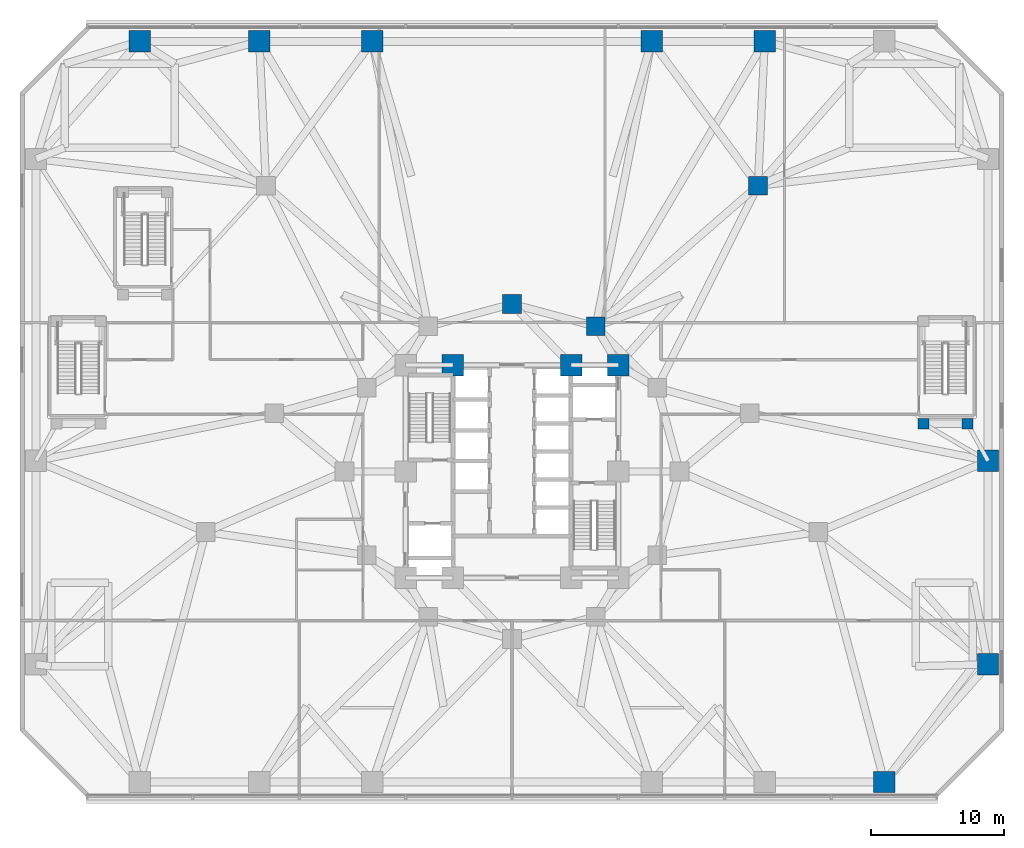
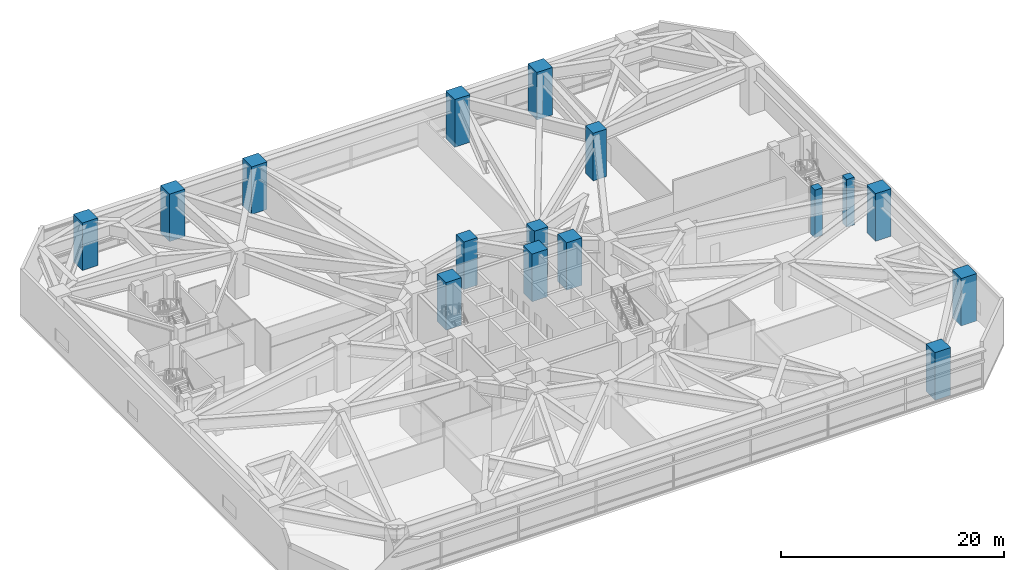
# One storey, part 3 of 27: 16 columns.
"""IFC4 building model written with IfcOpenShell, lengths in metres."""

from ifc_helpers import new_model, si_unit, direction, frame, origin, origin_2d, place, context, subcontext, project, spatial, rectangle, extrude, material, material_profile, profile_set, type_object, element, save


model = new_model("IFC4")

# Units and contexts
model_context = context("Model", 3, precision=1e-05, world=origin(), true_north=direction((0.0, 1.0)))
body_context = subcontext(model_context, "Body", "Model", "MODEL_VIEW")
ifc_project = project(units=[si_unit("LENGTHUNIT", "METRE"), si_unit("AREAUNIT", "SQUARE_METRE"), si_unit("VOLUMEUNIT", "CUBIC_METRE"), si_unit("PLANEANGLEUNIT", "RADIAN"), si_unit("MASSUNIT", "GRAM", prefix="KILO")], contexts=[model_context])

# Site, building, storey
site_placement = place(None, origin())
site = spatial("IfcSite", under=ifc_project, at=site_placement, CompositionType="ELEMENT")
building_placement = place(site_placement, origin())
building = spatial("IfcBuilding", under=site, at=building_placement, Name="Terralouvre Media Tower", CompositionType="ELEMENT")
storey_placement = place(building_placement, frame((0.0, 0.0, 20.800048828125)))
storey = spatial("IfcBuildingStorey", under=building, at=storey_placement, Name="L04", CompositionType="ELEMENT", Elevation=20.800048828125)

# Columns
ifc_material_1 = material(Name="Concrete C60/75", Category="concrete")
ifc_material_profile_1 = material_profile(ifc_material_1, rectangle(XDim=1.39990234375, YDim=1.39990234375, at=origin_2d()), Name="RC 1400x1400")
ifc_profile_set_1 = profile_set([ifc_material_profile_1], Name="Concrete C60/75")
column_type_1 = type_object("IfcColumnType", Name="Structural Column C-RC1400 (RC 1400x1400)", PredefinedType="COLUMN", material=ifc_profile_set_1)
for number, where, z_axis, x_axis, name in (
    (1, (6.300048828125, 10.911865234375, 0.0), (0.0, 0.0, 1.0), (1.0, 0.0, 0.0), "L04 Mega-Frame Column MC03"),
    (2, (0.0, 12.60009765625, 0.0), (0.0, 0.0, 1.0), (1.0, 0.0, 0.0), "L04 Mega-Frame Column MC04"),
    (3, (18.5, 21.5, 0.0), (0.0, 0.0, 1.0), (1.0, 0.0, 0.0), "L04 Podium Transfer Column PM20"),
):
    element("IfcColumn", number, at=place(storey_placement, frame(where, z_axis=z_axis, x_axis=x_axis)), inside=storey, type_object=column_type_1, Name=name, PredefinedType="COLUMN", context=body_context, shape_type="SweptSolid", body=[
        extrude(rectangle(XDim=1.39990234375, YDim=1.39990234375, at=origin_2d()), origin(), (0.0, 0.0, 1.0), 5.199951171875),
    ])
ifc_material_2 = material(Name="Concrete C60/75", Category="concrete")
ifc_material_profile_2 = material_profile(ifc_material_2, rectangle(XDim=1.60009765625, YDim=1.60009765625, at=origin_2d()), Name="RC 1600x1600")
ifc_profile_set_2 = profile_set([ifc_material_profile_2], Name="Concrete C60/75")
column_type_2 = type_object("IfcColumnType", Name="Structural Column C-RC1600 (RC 1600x1600)", PredefinedType="COLUMN", material=ifc_profile_set_2)
for number, where, z_axis, x_axis, name in (
    (4, (8.0, 8.0, 0.0), (0.0, 0.0, 1.0), (1.0, 0.0, 0.0), "L04 Core Pilaster Column CP5"),
    (5, (4.449951171875, 8.0, 0.0), (0.0, 0.0, 1.0), (1.0, 0.0, 0.0), "L04 Core Pilaster Column CP9"),
    (6, (-4.449951171875, 8.0, 0.0), (0.0, 0.0, 1.0), (1.0, 0.0, 0.0), "L04 Core Pilaster Column CP6"),
    (7, (28.0, -23.35009765625, 0.0), (0.0, 0.0, 1.0), (1.0, 0.0, 0.0), "L04 Perimeter Mega-Column PM06"),
    (8, (35.800048828125, -14.5, 0.0), (0.0, 0.0, 1.0), (1.0, 0.0, 0.0), "L04 Perimeter Mega-Column PM07"),
    (9, (35.800048828125, 0.800048828125, 0.0), (0.0, 0.0, 1.0), (1.0, 0.0, 0.0), "L04 Perimeter Mega-Column PM08"),
    (10, (19.0, 32.35009765625, 0.0), (0.0, 0.0, 1.0), (1.0, 0.0, 0.0), "L04 Perimeter Mega-Column PM11"),
    (11, (10.5, 32.35009765625, 0.0), (0.0, 0.0, 1.0), (1.0, 0.0, 0.0), "L04 Perimeter Mega-Column PM12"),
    (12, (-10.5, 32.35009765625, 0.0), (0.0, 0.0, 1.0), (1.0, 0.0, 0.0), "L04 Perimeter Mega-Column PM13"),
    (13, (-19.0, 32.35009765625, 0.0), (0.0, 0.0, 1.0), (1.0, 0.0, 0.0), "L04 Perimeter Mega-Column PM14"),
    (14, (-28.0, 32.35009765625, 0.0), (0.0, 0.0, 1.0), (1.0, 0.0, 0.0), "L04 Perimeter Mega-Column PM15"),
):
    element("IfcColumn", number, at=place(storey_placement, frame(where, z_axis=z_axis, x_axis=x_axis)), inside=storey, type_object=column_type_2, Name=name, PredefinedType="COLUMN", context=body_context, shape_type="SweptSolid", body=[
        extrude(rectangle(XDim=1.60009765625, YDim=1.60009765625, at=origin_2d()), origin(), (0.0, 0.0, 1.0), 5.199951171875),
    ])
ifc_material_3 = material(Name="Concrete C50/60", Category="concrete")
ifc_material_profile_3 = material_profile(ifc_material_3, rectangle(XDim=0.800048828125, YDim=0.800048828125, at=origin_2d()), Name="RC 800x800")
ifc_profile_set_3 = profile_set([ifc_material_profile_3], Name="Concrete C50/60")
column_type_3 = type_object("IfcColumnType", Name="Structural Column C-RC800 (RC 800x800)", PredefinedType="COLUMN", material=ifc_profile_set_3)
for number, where, z_axis, x_axis, name in (
    (15, (30.949951171875, 3.60009765625, 0.0), (0.0, 0.0, 1.0), (1.0, 0.0, 0.0), "L04 Stair Pavilion Support Column ST4C1"),
    (16, (34.25, 3.60009765625, 0.0), (0.0, 0.0, 1.0), (1.0, 0.0, 0.0), "L04 Stair Pavilion Support Column ST4C2"),
):
    element("IfcColumn", number, at=place(storey_placement, frame(where, z_axis=z_axis, x_axis=x_axis)), inside=storey, type_object=column_type_3, Name=name, PredefinedType="COLUMN", context=body_context, shape_type="SweptSolid", body=[
        extrude(rectangle(XDim=0.800048828125, YDim=0.800048828125, at=origin_2d()), origin(), (0.0, 0.0, 1.0), 5.199951171875),
    ])

save(model, "model.ifc")
